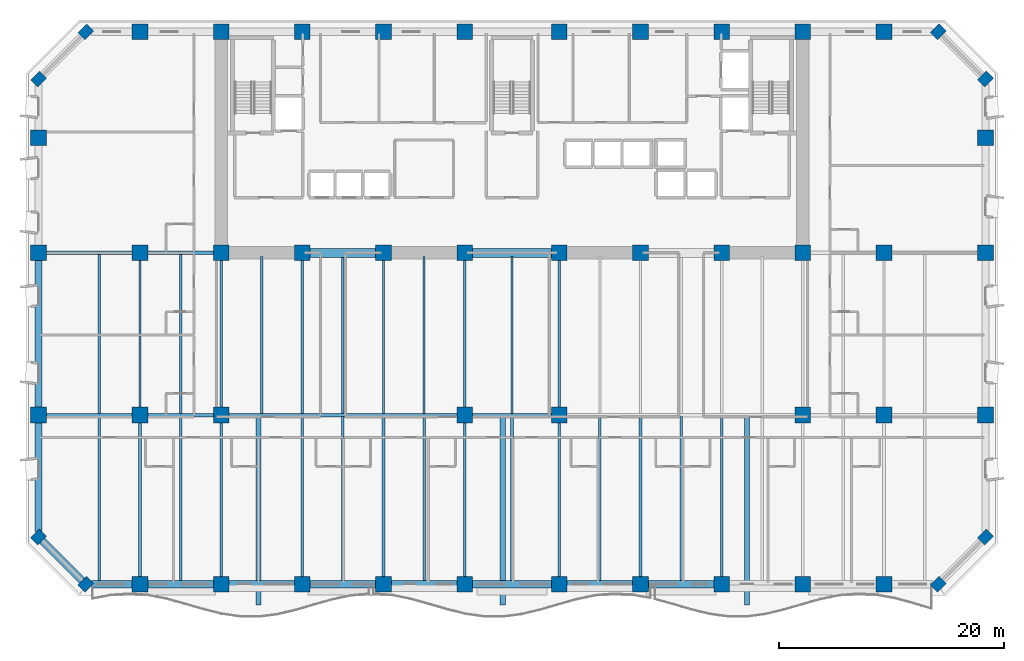
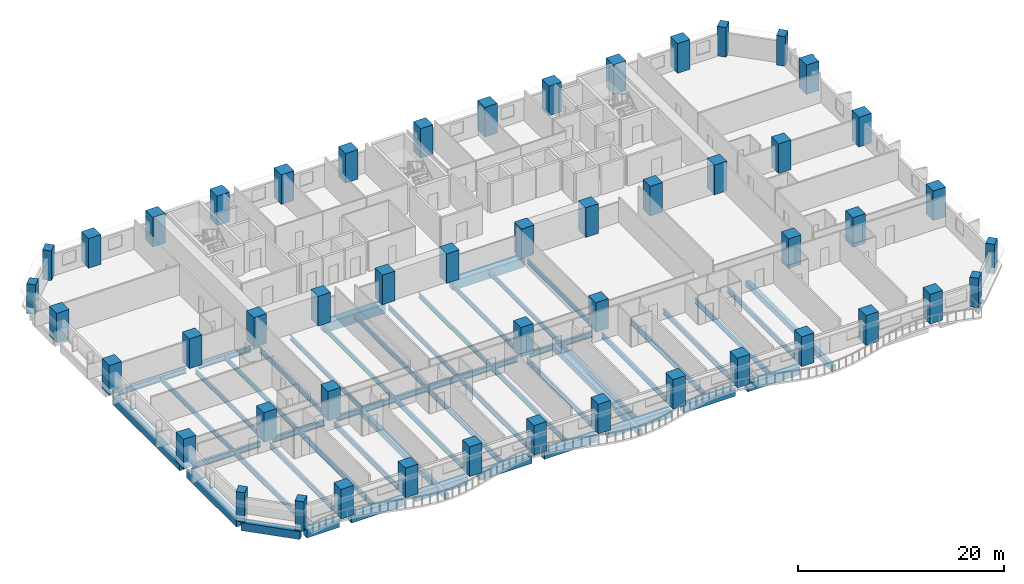
# One storey, part 1 of 15: 50 columns, 49 beams.
"""IFC4 building model written with IfcOpenShell, lengths in metres."""

from ifc_helpers import new_model, si_unit, direction, frame, origin, origin_2d, place, context, subcontext, project, spatial, rectangle, i_section, extrude, material, material_profile, profile_set, type_object, element, save


model = new_model("IFC4")

# Units and contexts
model_context = context("Model", 3, precision=1e-05, world=origin(), true_north=direction((0.0, 1.0)))
body_context = subcontext(model_context, "Body", "Model", "MODEL_VIEW")
ifc_project = project(units=[si_unit("LENGTHUNIT", "METRE"), si_unit("AREAUNIT", "SQUARE_METRE"), si_unit("VOLUMEUNIT", "CUBIC_METRE"), si_unit("PLANEANGLEUNIT", "RADIAN"), si_unit("MASSUNIT", "GRAM", prefix="KILO")], contexts=[model_context])

# Site, building, storey
site_placement = place(None, origin())
site = spatial("IfcSite", under=ifc_project, at=site_placement, CompositionType="ELEMENT")
building_placement = place(site_placement, origin())
building = spatial("IfcBuilding", under=site, at=building_placement, Name="Kaelvorn Grand Hotel", CompositionType="ELEMENT")
storey_placement = place(building_placement, frame((0.0, 0.0, 65.14990234375)))
storey = spatial("IfcBuildingStorey", under=building, at=storey_placement, Name="L14", CompositionType="ELEMENT", Elevation=65.14990234375)

# Columns
ifc_material_1 = material(Name="Concrete C80/95", Category="concrete")
ifc_material_profile_1 = material_profile(ifc_material_1, rectangle(XDim=1.10009765625, YDim=0.89990234375, at=origin_2d()), Name="RC PILASTER 1100x900")
ifc_profile_set_1 = profile_set([ifc_material_profile_1], Name="Concrete C80/95")
column_type_1 = type_object("IfcColumnType", Name="COL-PIL-1100x900-C80", PredefinedType="PILASTER", material=ifc_profile_set_1)
for number, where, z_axis, x_axis, name in (
    (1, (4.199951171875, 0.0, 0.0), (0.0, 0.0, 1.0), (0.707106781187, 0.707106781187, 0.0), "L14 Structural Column CH-01"),
    (2, (79.800048828125, 0.0, 0.0), (0.0, 0.0, 1.0), (0.707106781187, 0.707106781187, 0.0), "L14 Structural Column CH-02"),
    (3, (84.0, 4.199951171875, 0.0), (0.0, 0.0, 1.0), (0.707106781187, 0.707106781187, 0.0), "L14 Structural Column CH-03"),
    (4, (84.0, 44.800048828125, 0.0), (0.0, 0.0, 1.0), (0.707106781187, 0.707106781187, 0.0), "L14 Structural Column CH-04"),
    (5, (79.800048828125, 49.0, 0.0), (0.0, 0.0, 1.0), (0.707106781187, 0.707106781187, 0.0), "L14 Structural Column CH-05"),
    (6, (4.199951171875, 49.0, 0.0), (0.0, 0.0, 1.0), (0.707106781187, 0.707106781187, 0.0), "L14 Structural Column CH-06"),
    (7, (0.0, 44.800048828125, 0.0), (0.0, 0.0, 1.0), (0.707106781187, 0.707106781187, 0.0), "L14 Structural Column CH-07"),
    (8, (0.0, 4.199951171875, 0.0), (0.0, 0.0, 1.0), (0.707106781187, 0.707106781187, 0.0), "L14 Structural Column CH-08"),
):
    element("IfcColumn", number, at=place(storey_placement, frame(where, z_axis=z_axis, x_axis=x_axis)), inside=storey, type_object=column_type_1, Name=name, PredefinedType="PILASTER", context=body_context, shape_type="SweptSolid", body=[
        extrude(rectangle(XDim=1.10009765625, YDim=0.89990234375, at=origin_2d()), origin(), (0.0, 0.0, 1.0), 3.510009765625),
    ])
ifc_material_profile_2 = material_profile(ifc_material_1, rectangle(XDim=1.39990234375, YDim=1.39990234375, at=origin_2d()), Name="RC COL 1400x1400")
ifc_profile_set_2 = profile_set([ifc_material_profile_2], Name="Concrete C80/95")
column_type_2 = type_object("IfcColumnType", Name="COL-RC-1400-C80", PredefinedType="COLUMN", material=ifc_profile_set_2)
for number, where, z_axis, x_axis, name in (
    (9, (9.0, 0.0, 0.0), (0.0, 0.0, 1.0), (1.0, 0.0, 0.0), "L14 Structural Column S-01"),
    (10, (16.199951171875, 0.0, 0.0), (0.0, 0.0, 1.0), (1.0, 0.0, 0.0), "L14 Structural Column S-02"),
    (11, (23.39990234375, 0.0, 0.0), (0.0, 0.0, 1.0), (1.0, 0.0, 0.0), "L14 Structural Column S-03"),
    (12, (30.60009765625, 0.0, 0.0), (0.0, 0.0, 1.0), (1.0, 0.0, 0.0), "L14 Structural Column S-04"),
    (13, (37.800048828125, 0.0, 0.0), (0.0, 0.0, 1.0), (1.0, 0.0, 0.0), "L14 Structural Column S-05"),
    (14, (46.199951171875, 0.0, 0.0), (0.0, 0.0, 1.0), (1.0, 0.0, 0.0), "L14 Structural Column S-06"),
    (15, (53.39990234375, 0.0, 0.0), (0.0, 0.0, 1.0), (1.0, 0.0, 0.0), "L14 Structural Column S-07"),
    (16, (60.60009765625, 0.0, 0.0), (0.0, 0.0, 1.0), (1.0, 0.0, 0.0), "L14 Structural Column S-08"),
    (17, (67.800048828125, 0.0, 0.0), (0.0, 0.0, 1.0), (1.0, 0.0, 0.0), "L14 Structural Column S-09"),
    (18, (75.0, 0.0, 0.0), (0.0, 0.0, 1.0), (1.0, 0.0, 0.0), "L14 Structural Column S-10"),
    (19, (0.0, 15.0, 0.0), (0.0, 0.0, 1.0), (1.0, 0.0, 0.0), "L14 Structural Column W-01"),
    (20, (84.0, 15.0, 0.0), (0.0, 0.0, 1.0), (1.0, 0.0, 0.0), "L14 Structural Column E-01"),
    (21, (0.0, 29.39990234375, 0.0), (0.0, 0.0, 1.0), (1.0, 0.0, 0.0), "L14 Structural Column W-02"),
    (22, (84.0, 29.39990234375, 0.0), (0.0, 0.0, 1.0), (1.0, 0.0, 0.0), "L14 Structural Column E-02"),
    (23, (0.0, 39.60009765625, 0.0), (0.0, 0.0, 1.0), (1.0, 0.0, 0.0), "L14 Structural Column W-03"),
    (24, (84.0, 39.60009765625, 0.0), (0.0, 0.0, 1.0), (1.0, 0.0, 0.0), "L14 Structural Column E-03"),
    (25, (9.0, 15.0, 0.0), (0.0, 0.0, 1.0), (1.0, 0.0, 0.0), "L14 Structural Column M-01"),
    (26, (16.199951171875, 15.0, 0.0), (0.0, 0.0, 1.0), (1.0, 0.0, 0.0), "L14 Structural Column M-02"),
    (27, (37.800048828125, 15.0, 0.0), (0.0, 0.0, 1.0), (1.0, 0.0, 0.0), "L14 Structural Column M-03"),
    (28, (46.199951171875, 15.0, 0.0), (0.0, 0.0, 1.0), (1.0, 0.0, 0.0), "L14 Structural Column M-04"),
    (29, (67.800048828125, 15.0, 0.0), (0.0, 0.0, 1.0), (1.0, 0.0, 0.0), "L14 Structural Column M-05"),
    (30, (75.0, 15.0, 0.0), (0.0, 0.0, 1.0), (1.0, 0.0, 0.0), "L14 Structural Column M-06"),
    (31, (9.0, 29.39990234375, 0.0), (0.0, 0.0, 1.0), (1.0, 0.0, 0.0), "L14 Structural Column CR1-01"),
    (32, (9.0, 49.0, 0.0), (0.0, 0.0, 1.0), (1.0, 0.0, 0.0), "L14 Structural Column CR2-01"),
    (33, (16.199951171875, 29.39990234375, 0.0), (0.0, 0.0, 1.0), (1.0, 0.0, 0.0), "L14 Structural Column CR1-02"),
    (34, (16.199951171875, 49.0, 0.0), (0.0, 0.0, 1.0), (1.0, 0.0, 0.0), "L14 Structural Column CR2-02"),
    (35, (23.39990234375, 29.39990234375, 0.0), (0.0, 0.0, 1.0), (1.0, 0.0, 0.0), "L14 Structural Column CR1-03"),
    (36, (23.39990234375, 49.0, 0.0), (0.0, 0.0, 1.0), (1.0, 0.0, 0.0), "L14 Structural Column CR2-03"),
    (37, (30.60009765625, 29.39990234375, 0.0), (0.0, 0.0, 1.0), (1.0, 0.0, 0.0), "L14 Structural Column CR1-04"),
    (38, (30.60009765625, 49.0, 0.0), (0.0, 0.0, 1.0), (1.0, 0.0, 0.0), "L14 Structural Column CR2-04"),
    (39, (37.800048828125, 29.39990234375, 0.0), (0.0, 0.0, 1.0), (1.0, 0.0, 0.0), "L14 Structural Column CR1-05"),
    (40, (37.800048828125, 49.0, 0.0), (0.0, 0.0, 1.0), (1.0, 0.0, 0.0), "L14 Structural Column CR2-05"),
    (41, (46.199951171875, 29.39990234375, 0.0), (0.0, 0.0, 1.0), (1.0, 0.0, 0.0), "L14 Structural Column CR1-06"),
    (42, (46.199951171875, 49.0, 0.0), (0.0, 0.0, 1.0), (1.0, 0.0, 0.0), "L14 Structural Column CR2-06"),
    (43, (53.39990234375, 29.39990234375, 0.0), (0.0, 0.0, 1.0), (1.0, 0.0, 0.0), "L14 Structural Column CR1-07"),
    (44, (53.39990234375, 49.0, 0.0), (0.0, 0.0, 1.0), (1.0, 0.0, 0.0), "L14 Structural Column CR2-07"),
    (45, (60.60009765625, 29.39990234375, 0.0), (0.0, 0.0, 1.0), (1.0, 0.0, 0.0), "L14 Structural Column CR1-08"),
    (46, (60.60009765625, 49.0, 0.0), (0.0, 0.0, 1.0), (1.0, 0.0, 0.0), "L14 Structural Column CR2-08"),
    (47, (67.800048828125, 29.39990234375, 0.0), (0.0, 0.0, 1.0), (1.0, 0.0, 0.0), "L14 Structural Column CR1-09"),
    (48, (67.800048828125, 49.0, 0.0), (0.0, 0.0, 1.0), (1.0, 0.0, 0.0), "L14 Structural Column CR2-09"),
    (49, (75.0, 29.39990234375, 0.0), (0.0, 0.0, 1.0), (1.0, 0.0, 0.0), "L14 Structural Column CR1-10"),
    (50, (75.0, 49.0, 0.0), (0.0, 0.0, 1.0), (1.0, 0.0, 0.0), "L14 Structural Column CR2-10"),
):
    element("IfcColumn", number, at=place(storey_placement, frame(where, z_axis=z_axis, x_axis=x_axis)), inside=storey, type_object=column_type_2, Name=name, PredefinedType="COLUMN", context=body_context, shape_type="SweptSolid", body=[
        extrude(rectangle(XDim=1.39990234375, YDim=1.39990234375, at=origin_2d()), origin(), (0.0, 0.0, 1.0), 3.510009765625),
    ])

# Beams
ifc_material_2 = material(Name="Steel S355", Category="steel")
ifc_material_profile_3 = material_profile(ifc_material_2, i_section(OverallWidth=0.300048828125, OverallDepth=0.64990234375, WebThickness=0.01611328125, FlangeThickness=0.031005859375, FilletRadius=0.027099609375, at=origin_2d()), Name="HEB 650")
ifc_profile_set_3 = profile_set([ifc_material_profile_3], Name="Steel S355")
beam_type_1 = type_object("IfcBeamType", Name="BM-G-HEB650-S355", PredefinedType="BEAM", material=ifc_profile_set_3)
beam_1_placement = place(storey_placement, frame((0.68505859375, 15.0, -0.56494140625), z_axis=(1.0, 0.0, 0.0), x_axis=(0.0, 1.0, 0.0)))
element("IfcBeam", 51, at=beam_1_placement, inside=storey, type_object=beam_type_1, Name="L14 Primary Spine Steel Girder G-15 01", PredefinedType="BEAM", context=body_context, shape_type="SweptSolid", body=[
    extrude(i_section(OverallWidth=0.300048828125, OverallDepth=0.64990234375, WebThickness=0.01611328125, FlangeThickness=0.031005859375, FilletRadius=0.027099609375, at=origin_2d()), origin(), (0.0, 0.0, 1.0), 7.6298828125),
])
beam_2_placement = place(storey_placement, frame((9.68505859375, 15.0, -0.56494140625), z_axis=(1.0, 0.0, 0.0), x_axis=(0.0, 1.0, 0.0)))
element("IfcBeam", 52, at=beam_2_placement, inside=storey, type_object=beam_type_1, Name="L14 Primary Spine Steel Girder G-15 02", PredefinedType="BEAM", context=body_context, shape_type="SweptSolid", body=[
    extrude(i_section(OverallWidth=0.300048828125, OverallDepth=0.64990234375, WebThickness=0.01611328125, FlangeThickness=0.031005859375, FilletRadius=0.027099609375, at=origin_2d()), origin(), (0.0, 0.0, 1.0), 5.829833984375),
])
beam_3_placement = place(storey_placement, frame((16.885009765625, 15.0, -0.56494140625), z_axis=(1.0, 0.0, 0.0), x_axis=(0.0, 1.0, 0.0)))
element("IfcBeam", 53, at=beam_3_placement, inside=storey, type_object=beam_type_1, Name="L14 Primary Spine Steel Girder G-15 03", PredefinedType="BEAM", context=body_context, shape_type="SweptSolid", body=[
    extrude(i_section(OverallWidth=0.300048828125, OverallDepth=0.64990234375, WebThickness=0.01611328125, FlangeThickness=0.031005859375, FilletRadius=0.027099609375, at=origin_2d()), origin(), (0.0, 0.0, 1.0), 20.22998046875),
])
beam_4_placement = place(storey_placement, frame((38.485107421875, 15.0, -0.56494140625), z_axis=(1.0, 0.0, 0.0), x_axis=(0.0, 1.0, 0.0)))
element("IfcBeam", 54, at=beam_4_placement, inside=storey, type_object=beam_type_1, Name="L14 Primary Spine Steel Girder G-15 04", PredefinedType="BEAM", context=body_context, shape_type="SweptSolid", body=[
    extrude(i_section(OverallWidth=0.300048828125, OverallDepth=0.64990234375, WebThickness=0.01611328125, FlangeThickness=0.031005859375, FilletRadius=0.027099609375, at=origin_2d()), origin(), (0.0, 0.0, 1.0), 7.02978515625),
])
beam_5_placement = place(storey_placement, frame((0.68505859375, 29.39990234375, -0.56494140625), z_axis=(1.0, 0.0, 0.0), x_axis=(0.0, 1.0, 0.0)))
element("IfcBeam", 55, at=beam_5_placement, inside=storey, type_object=beam_type_1, Name="L14 West Core Wing Steel Girder G-29W 01", PredefinedType="BEAM", context=body_context, shape_type="SweptSolid", body=[
    extrude(i_section(OverallWidth=0.300048828125, OverallDepth=0.64990234375, WebThickness=0.01611328125, FlangeThickness=0.031005859375, FilletRadius=0.027099609375, at=origin_2d()), origin(), (0.0, 0.0, 1.0), 7.6298828125),
])
beam_6_placement = place(storey_placement, frame((9.68505859375, 29.39990234375, -0.56494140625), z_axis=(1.0, 0.0, 0.0), x_axis=(0.0, 1.0, 0.0)))
element("IfcBeam", 56, at=beam_6_placement, inside=storey, type_object=beam_type_1, Name="L14 West Core Wing Steel Girder G-29W 02", PredefinedType="BEAM", context=body_context, shape_type="SweptSolid", body=[
    extrude(i_section(OverallWidth=0.300048828125, OverallDepth=0.64990234375, WebThickness=0.01611328125, FlangeThickness=0.031005859375, FilletRadius=0.027099609375, at=origin_2d()), origin(), (0.0, 0.0, 1.0), 5.829833984375),
])
ifc_material_profile_4 = material_profile(ifc_material_2, i_section(OverallWidth=0.209228515625, OverallDepth=0.533203125, WebThickness=0.010009765625, FlangeThickness=0.015625, FilletRadius=0.0126953125, at=origin_2d()), Name="UB 533x210x92")
ifc_profile_set_4 = profile_set([ifc_material_profile_4], Name="Steel S355")
beam_type_2 = type_object("IfcBeamType", Name="BM-J-UB533-S355", PredefinedType="JOIST", material=ifc_profile_set_4)
beam_7_placement = place(storey_placement, frame((5.39990234375, 15.135009765625, -0.50634765625), z_axis=(0.0, 1.0, 0.0), x_axis=(-1.0, 0.0, 0.0)))
element("IfcBeam", 57, at=beam_7_placement, inside=storey, type_object=beam_type_2, Name="L14 Composite Floor Joist JM-02", PredefinedType="JOIST", context=body_context, shape_type="SweptSolid", body=[
    extrude(i_section(OverallWidth=0.209228515625, OverallDepth=0.533203125, WebThickness=0.010009765625, FlangeThickness=0.015625, FilletRadius=0.0126953125, at=origin_2d()), origin(), (0.0, 0.0, 1.0), 14.1298828125),
])
beam_8_placement = place(storey_placement, frame((9.0, 15.68505859375, -0.50634765625), z_axis=(0.0, 1.0, 0.0), x_axis=(-1.0, 0.0, 0.0)))
element("IfcBeam", 58, at=beam_8_placement, inside=storey, type_object=beam_type_2, Name="L14 Composite Floor Joist JM-03", PredefinedType="JOIST", context=body_context, shape_type="SweptSolid", body=[
    extrude(i_section(OverallWidth=0.209228515625, OverallDepth=0.533203125, WebThickness=0.010009765625, FlangeThickness=0.015625, FilletRadius=0.0126953125, at=origin_2d()), origin(), (0.0, 0.0, 1.0), 13.030029296875),
])
beam_9_placement = place(storey_placement, frame((12.60009765625, 15.135009765625, -0.50634765625), z_axis=(0.0, 1.0, 0.0), x_axis=(-1.0, 0.0, 0.0)))
element("IfcBeam", 59, at=beam_9_placement, inside=storey, type_object=beam_type_2, Name="L14 Composite Floor Joist JM-04", PredefinedType="JOIST", context=body_context, shape_type="SweptSolid", body=[
    extrude(i_section(OverallWidth=0.209228515625, OverallDepth=0.533203125, WebThickness=0.010009765625, FlangeThickness=0.015625, FilletRadius=0.0126953125, at=origin_2d()), origin(), (0.0, 0.0, 1.0), 14.1298828125),
])
beam_10_placement = place(storey_placement, frame((16.199951171875, 15.68505859375, -0.50634765625), z_axis=(0.0, 1.0, 0.0), x_axis=(-1.0, 0.0, 0.0)))
element("IfcBeam", 60, at=beam_10_placement, inside=storey, type_object=beam_type_2, Name="L14 Composite Floor Joist JM-05", PredefinedType="JOIST", context=body_context, shape_type="SweptSolid", body=[
    extrude(i_section(OverallWidth=0.209228515625, OverallDepth=0.533203125, WebThickness=0.010009765625, FlangeThickness=0.015625, FilletRadius=0.0126953125, at=origin_2d()), origin(), (0.0, 0.0, 1.0), 13.030029296875),
])
beam_11_placement = place(storey_placement, frame((19.800048828125, 15.135009765625, -0.50634765625), z_axis=(0.0, 1.0, 0.0), x_axis=(-1.0, 0.0, 0.0)))
element("IfcBeam", 61, at=beam_11_placement, inside=storey, type_object=beam_type_2, Name="L14 Composite Floor Joist JM-06", PredefinedType="JOIST", context=body_context, shape_type="SweptSolid", body=[
    extrude(i_section(OverallWidth=0.209228515625, OverallDepth=0.533203125, WebThickness=0.010009765625, FlangeThickness=0.015625, FilletRadius=0.0126953125, at=origin_2d()), origin(), (0.0, 0.0, 1.0), 13.925048828125),
])
beam_12_placement = place(storey_placement, frame((23.39990234375, 15.135009765625, -0.50634765625), z_axis=(0.0, 1.0, 0.0), x_axis=(-1.0, 0.0, 0.0)))
element("IfcBeam", 62, at=beam_12_placement, inside=storey, type_object=beam_type_2, Name="L14 Composite Floor Joist JM-07", PredefinedType="JOIST", context=body_context, shape_type="SweptSolid", body=[
    extrude(i_section(OverallWidth=0.209228515625, OverallDepth=0.533203125, WebThickness=0.010009765625, FlangeThickness=0.015625, FilletRadius=0.0126953125, at=origin_2d()), origin(), (0.0, 0.0, 1.0), 13.580078125),
])
beam_13_placement = place(storey_placement, frame((27.0, 15.135009765625, -0.50634765625), z_axis=(0.0, 1.0, 0.0), x_axis=(-1.0, 0.0, 0.0)))
element("IfcBeam", 63, at=beam_13_placement, inside=storey, type_object=beam_type_2, Name="L14 Composite Floor Joist JM-08", PredefinedType="JOIST", context=body_context, shape_type="SweptSolid", body=[
    extrude(i_section(OverallWidth=0.209228515625, OverallDepth=0.533203125, WebThickness=0.010009765625, FlangeThickness=0.015625, FilletRadius=0.0126953125, at=origin_2d()), origin(), (0.0, 0.0, 1.0), 13.925048828125),
])
beam_14_placement = place(storey_placement, frame((30.60009765625, 15.135009765625, -0.50634765625), z_axis=(0.0, 1.0, 0.0), x_axis=(-1.0, 0.0, 0.0)))
element("IfcBeam", 64, at=beam_14_placement, inside=storey, type_object=beam_type_2, Name="L14 Composite Floor Joist JM-09", PredefinedType="JOIST", context=body_context, shape_type="SweptSolid", body=[
    extrude(i_section(OverallWidth=0.209228515625, OverallDepth=0.533203125, WebThickness=0.010009765625, FlangeThickness=0.015625, FilletRadius=0.0126953125, at=origin_2d()), origin(), (0.0, 0.0, 1.0), 13.580078125),
])
beam_15_placement = place(storey_placement, frame((34.199951171875, 15.135009765625, -0.50634765625), z_axis=(0.0, 1.0, 0.0), x_axis=(-1.0, 0.0, 0.0)))
element("IfcBeam", 65, at=beam_15_placement, inside=storey, type_object=beam_type_2, Name="L14 Composite Floor Joist JM-10", PredefinedType="JOIST", context=body_context, shape_type="SweptSolid", body=[
    extrude(i_section(OverallWidth=0.209228515625, OverallDepth=0.533203125, WebThickness=0.010009765625, FlangeThickness=0.015625, FilletRadius=0.0126953125, at=origin_2d()), origin(), (0.0, 0.0, 1.0), 13.925048828125),
])
beam_16_placement = place(storey_placement, frame((37.800048828125, 15.68505859375, -0.50634765625), z_axis=(0.0, 1.0, 0.0), x_axis=(-1.0, 0.0, 0.0)))
element("IfcBeam", 66, at=beam_16_placement, inside=storey, type_object=beam_type_2, Name="L14 Composite Floor Joist JM-11", PredefinedType="JOIST", context=body_context, shape_type="SweptSolid", body=[
    extrude(i_section(OverallWidth=0.209228515625, OverallDepth=0.533203125, WebThickness=0.010009765625, FlangeThickness=0.015625, FilletRadius=0.0126953125, at=origin_2d()), origin(), (0.0, 0.0, 1.0), 13.030029296875),
])
beam_17_placement = place(storey_placement, frame((42.0, 15.135009765625, -0.50634765625), z_axis=(0.0, 1.0, 0.0), x_axis=(-1.0, 0.0, 0.0)))
element("IfcBeam", 67, at=beam_17_placement, inside=storey, type_object=beam_type_2, Name="L14 Composite Floor Joist JM-12", PredefinedType="JOIST", context=body_context, shape_type="SweptSolid", body=[
    extrude(i_section(OverallWidth=0.209228515625, OverallDepth=0.533203125, WebThickness=0.010009765625, FlangeThickness=0.015625, FilletRadius=0.0126953125, at=origin_2d()), origin(), (0.0, 0.0, 1.0), 13.925048828125),
])
beam_18_placement = place(storey_placement, frame((46.199951171875, 15.68505859375, -0.50634765625), z_axis=(0.0, 1.0, 0.0), x_axis=(-1.0, 0.0, 0.0)))
element("IfcBeam", 68, at=beam_18_placement, inside=storey, type_object=beam_type_2, Name="L14 Composite Floor Joist JM-13", PredefinedType="JOIST", context=body_context, shape_type="SweptSolid", body=[
    extrude(i_section(OverallWidth=0.209228515625, OverallDepth=0.533203125, WebThickness=0.010009765625, FlangeThickness=0.015625, FilletRadius=0.0126953125, at=origin_2d()), origin(), (0.0, 0.0, 1.0), 13.030029296875),
])
ifc_material_profile_5 = material_profile(ifc_material_2, i_section(OverallWidth=0.22900390625, OverallDepth=0.6123046875, WebThickness=0.011962890625, FlangeThickness=0.01953125, FilletRadius=0.0126953125, at=origin_2d()), Name="UB 610x229x125")
ifc_profile_set_5 = profile_set([ifc_material_profile_5], Name="Steel S355")
beam_type_3 = type_object("IfcBeamType", Name="BM-J-UB610-S355", PredefinedType="JOIST", material=ifc_profile_set_5)
beam_19_placement = place(storey_placement, frame((5.39990234375, 0.31005859375, -0.5458984375), z_axis=(0.0, 1.0, 0.0), x_axis=(-1.0, 0.0, 0.0)))
element("IfcBeam", 69, at=beam_19_placement, inside=storey, type_object=beam_type_3, Name="L14 Composite Floor Joist JS-02", PredefinedType="JOIST", context=body_context, shape_type="SweptSolid", body=[
    extrude(i_section(OverallWidth=0.22900390625, OverallDepth=0.6123046875, WebThickness=0.011962890625, FlangeThickness=0.01953125, FilletRadius=0.0126953125, at=origin_2d()), origin(), (0.0, 0.0, 1.0), 14.554931640625),
])
beam_20_placement = place(storey_placement, frame((9.0, 0.68505859375, -0.5458984375), z_axis=(0.0, 1.0, 0.0), x_axis=(-1.0, 0.0, 0.0)))
element("IfcBeam", 70, at=beam_20_placement, inside=storey, type_object=beam_type_3, Name="L14 Composite Floor Joist JS-03", PredefinedType="JOIST", context=body_context, shape_type="SweptSolid", body=[
    extrude(i_section(OverallWidth=0.22900390625, OverallDepth=0.6123046875, WebThickness=0.011962890625, FlangeThickness=0.01953125, FilletRadius=0.0126953125, at=origin_2d()), origin(), (0.0, 0.0, 1.0), 13.6298828125),
])
beam_21_placement = place(storey_placement, frame((12.60009765625, 0.31005859375, -0.5458984375), z_axis=(0.0, 1.0, 0.0), x_axis=(-1.0, 0.0, 0.0)))
element("IfcBeam", 71, at=beam_21_placement, inside=storey, type_object=beam_type_3, Name="L14 Composite Floor Joist JS-04", PredefinedType="JOIST", context=body_context, shape_type="SweptSolid", body=[
    extrude(i_section(OverallWidth=0.22900390625, OverallDepth=0.6123046875, WebThickness=0.011962890625, FlangeThickness=0.01953125, FilletRadius=0.0126953125, at=origin_2d()), origin(), (0.0, 0.0, 1.0), 14.554931640625),
])
beam_22_placement = place(storey_placement, frame((16.199951171875, 0.68505859375, -0.5458984375), z_axis=(0.0, 1.0, 0.0), x_axis=(-1.0, 0.0, 0.0)))
element("IfcBeam", 72, at=beam_22_placement, inside=storey, type_object=beam_type_3, Name="L14 Composite Floor Joist JS-05", PredefinedType="JOIST", context=body_context, shape_type="SweptSolid", body=[
    extrude(i_section(OverallWidth=0.22900390625, OverallDepth=0.6123046875, WebThickness=0.011962890625, FlangeThickness=0.01953125, FilletRadius=0.0126953125, at=origin_2d()), origin(), (0.0, 0.0, 1.0), 13.6298828125),
])
beam_23_placement = place(storey_placement, frame((23.39990234375, 0.68505859375, -0.5458984375), z_axis=(0.0, 1.0, 0.0), x_axis=(-1.0, 0.0, 0.0)))
element("IfcBeam", 73, at=beam_23_placement, inside=storey, type_object=beam_type_3, Name="L14 Composite Floor Joist JS-07", PredefinedType="JOIST", context=body_context, shape_type="SweptSolid", body=[
    extrude(i_section(OverallWidth=0.22900390625, OverallDepth=0.6123046875, WebThickness=0.011962890625, FlangeThickness=0.01953125, FilletRadius=0.0126953125, at=origin_2d()), origin(), (0.0, 0.0, 1.0), 14.179931640625),
])
beam_24_placement = place(storey_placement, frame((27.0, 0.31005859375, -0.5458984375), z_axis=(0.0, 1.0, 0.0), x_axis=(-1.0, 0.0, 0.0)))
element("IfcBeam", 74, at=beam_24_placement, inside=storey, type_object=beam_type_3, Name="L14 Composite Floor Joist JS-08", PredefinedType="JOIST", context=body_context, shape_type="SweptSolid", body=[
    extrude(i_section(OverallWidth=0.22900390625, OverallDepth=0.6123046875, WebThickness=0.011962890625, FlangeThickness=0.01953125, FilletRadius=0.0126953125, at=origin_2d()), origin(), (0.0, 0.0, 1.0), 14.554931640625),
])
beam_25_placement = place(storey_placement, frame((30.60009765625, 0.68505859375, -0.5458984375), z_axis=(0.0, 1.0, 0.0), x_axis=(-1.0, 0.0, 0.0)))
element("IfcBeam", 75, at=beam_25_placement, inside=storey, type_object=beam_type_3, Name="L14 Composite Floor Joist JS-09", PredefinedType="JOIST", context=body_context, shape_type="SweptSolid", body=[
    extrude(i_section(OverallWidth=0.22900390625, OverallDepth=0.6123046875, WebThickness=0.011962890625, FlangeThickness=0.01953125, FilletRadius=0.0126953125, at=origin_2d()), origin(), (0.0, 0.0, 1.0), 14.179931640625),
])
beam_26_placement = place(storey_placement, frame((34.199951171875, 0.31005859375, -0.5458984375), z_axis=(0.0, 1.0, 0.0), x_axis=(-1.0, 0.0, 0.0)))
element("IfcBeam", 76, at=beam_26_placement, inside=storey, type_object=beam_type_3, Name="L14 Composite Floor Joist JS-10", PredefinedType="JOIST", context=body_context, shape_type="SweptSolid", body=[
    extrude(i_section(OverallWidth=0.22900390625, OverallDepth=0.6123046875, WebThickness=0.011962890625, FlangeThickness=0.01953125, FilletRadius=0.0126953125, at=origin_2d()), origin(), (0.0, 0.0, 1.0), 14.554931640625),
])
beam_27_placement = place(storey_placement, frame((37.800048828125, 0.68505859375, -0.5458984375), z_axis=(0.0, 1.0, 0.0), x_axis=(-1.0, 0.0, 0.0)))
element("IfcBeam", 77, at=beam_27_placement, inside=storey, type_object=beam_type_3, Name="L14 Composite Floor Joist JS-11", PredefinedType="JOIST", context=body_context, shape_type="SweptSolid", body=[
    extrude(i_section(OverallWidth=0.22900390625, OverallDepth=0.6123046875, WebThickness=0.011962890625, FlangeThickness=0.01953125, FilletRadius=0.0126953125, at=origin_2d()), origin(), (0.0, 0.0, 1.0), 13.6298828125),
])
beam_28_placement = place(storey_placement, frame((42.0, 0.31005859375, -0.5458984375), z_axis=(0.0, 1.0, 0.0), x_axis=(-1.0, 0.0, 0.0)))
element("IfcBeam", 78, at=beam_28_placement, inside=storey, type_object=beam_type_3, Name="L14 Composite Floor Joist JS-12", PredefinedType="JOIST", context=body_context, shape_type="SweptSolid", body=[
    extrude(i_section(OverallWidth=0.22900390625, OverallDepth=0.6123046875, WebThickness=0.011962890625, FlangeThickness=0.01953125, FilletRadius=0.0126953125, at=origin_2d()), origin(), (0.0, 0.0, 1.0), 14.554931640625),
])
beam_29_placement = place(storey_placement, frame((46.199951171875, 0.68505859375, -0.5458984375), z_axis=(0.0, 1.0, 0.0), x_axis=(-1.0, 0.0, 0.0)))
element("IfcBeam", 79, at=beam_29_placement, inside=storey, type_object=beam_type_3, Name="L14 Composite Floor Joist JS-13", PredefinedType="JOIST", context=body_context, shape_type="SweptSolid", body=[
    extrude(i_section(OverallWidth=0.22900390625, OverallDepth=0.6123046875, WebThickness=0.011962890625, FlangeThickness=0.01953125, FilletRadius=0.0126953125, at=origin_2d()), origin(), (0.0, 0.0, 1.0), 13.6298828125),
])
beam_30_placement = place(storey_placement, frame((49.800048828125, 0.31005859375, -0.5458984375), z_axis=(0.0, 1.0, 0.0), x_axis=(-1.0, 0.0, 0.0)))
element("IfcBeam", 80, at=beam_30_placement, inside=storey, type_object=beam_type_3, Name="L14 Composite Floor Joist JS-14", PredefinedType="JOIST", context=body_context, shape_type="SweptSolid", body=[
    extrude(i_section(OverallWidth=0.22900390625, OverallDepth=0.6123046875, WebThickness=0.011962890625, FlangeThickness=0.01953125, FilletRadius=0.0126953125, at=origin_2d()), origin(), (0.0, 0.0, 1.0), 14.554931640625),
])
beam_31_placement = place(storey_placement, frame((53.39990234375, 0.68505859375, -0.5458984375), z_axis=(0.0, 1.0, 0.0), x_axis=(-1.0, 0.0, 0.0)))
element("IfcBeam", 81, at=beam_31_placement, inside=storey, type_object=beam_type_3, Name="L14 Composite Floor Joist JS-15", PredefinedType="JOIST", context=body_context, shape_type="SweptSolid", body=[
    extrude(i_section(OverallWidth=0.22900390625, OverallDepth=0.6123046875, WebThickness=0.011962890625, FlangeThickness=0.01953125, FilletRadius=0.0126953125, at=origin_2d()), origin(), (0.0, 0.0, 1.0), 14.179931640625),
])
beam_32_placement = place(storey_placement, frame((57.0, 0.31005859375, -0.5458984375), z_axis=(0.0, 1.0, 0.0), x_axis=(-1.0, 0.0, 0.0)))
element("IfcBeam", 82, at=beam_32_placement, inside=storey, type_object=beam_type_3, Name="L14 Composite Floor Joist JS-16", PredefinedType="JOIST", context=body_context, shape_type="SweptSolid", body=[
    extrude(i_section(OverallWidth=0.22900390625, OverallDepth=0.6123046875, WebThickness=0.011962890625, FlangeThickness=0.01953125, FilletRadius=0.0126953125, at=origin_2d()), origin(), (0.0, 0.0, 1.0), 14.554931640625),
])
beam_33_placement = place(storey_placement, frame((60.60009765625, 0.68505859375, -0.5458984375), z_axis=(0.0, 1.0, 0.0), x_axis=(-1.0, 0.0, 0.0)))
element("IfcBeam", 83, at=beam_33_placement, inside=storey, type_object=beam_type_3, Name="L14 Composite Floor Joist JS-17", PredefinedType="JOIST", context=body_context, shape_type="SweptSolid", body=[
    extrude(i_section(OverallWidth=0.22900390625, OverallDepth=0.6123046875, WebThickness=0.011962890625, FlangeThickness=0.01953125, FilletRadius=0.0126953125, at=origin_2d()), origin(), (0.0, 0.0, 1.0), 14.179931640625),
])
ifc_material_3 = material(Name="Concrete C60/75", Category="concrete")
ifc_material_profile_6 = material_profile(ifc_material_3, rectangle(XDim=0.800048828125, YDim=1.10009765625, at=origin_2d()), Name="RC LINTEL 800x1100")
ifc_profile_set_6 = profile_set([ifc_material_profile_6], Name="Concrete C60/75")
beam_type_4 = type_object("IfcBeamType", Name="BM-LIN-800x1100-C60", PredefinedType="LINTEL", material=ifc_profile_set_6)
beam_34_placement = place(storey_placement, frame((23.580078125, 29.39990234375, -0.789794921875), z_axis=(1.0, 0.0, 0.0), x_axis=(0.0, 1.0, 0.0)))
element("IfcBeam", 84, at=beam_34_placement, inside=storey, type_object=beam_type_4, Name="L14 Rear-Core Coupling Lintel Beam CB1-01", PredefinedType="LINTEL", context=body_context, shape_type="SweptSolid", body=[
    extrude(rectangle(XDim=0.800048828125, YDim=1.10009765625, at=origin_2d()), origin(), (0.0, 0.0, 1.0), 6.83984375),
])
beam_35_placement = place(storey_placement, frame((37.97998046875, 29.39990234375, -0.789794921875), z_axis=(1.0, 0.0, 0.0), x_axis=(0.0, 1.0, 0.0)))
element("IfcBeam", 85, at=beam_35_placement, inside=storey, type_object=beam_type_4, Name="L14 Rear-Core Coupling Lintel Beam CB1-02", PredefinedType="LINTEL", context=body_context, shape_type="SweptSolid", body=[
    extrude(rectangle(XDim=0.800048828125, YDim=1.10009765625, at=origin_2d()), origin(), (0.0, 0.0, 1.0), 8.0400390625),
])
ifc_material_4 = material(Name="Concrete C40/50", Category="concrete")
ifc_material_profile_7 = material_profile(ifc_material_4, rectangle(XDim=0.449951171875, YDim=0.64990234375, at=origin_2d()), Name="RC RIB 450x650")
ifc_profile_set_7 = profile_set([ifc_material_profile_7], Name="Concrete C40/50")
beam_type_5 = type_object("IfcBeamType", Name="BM-RIB-450x650-C40", PredefinedType="SPANDREL", material=ifc_profile_set_7)
for number, where, z_axis, x_axis, name in (
    (86, (19.52001953125, -1.85009765625, -0.544921875), (0.0, 1.0, 0.0), (-1.0, 0.0, 0.0), "L14 Cantilevered Balcony Back-Span Rib RB1-1"),
    (87, (41.18212890625, -1.85009765625, -0.544921875), (0.0, 1.0, 0.0), (-1.0, 0.0, 0.0), "L14 Cantilevered Balcony Back-Span Rib RB1-2"),
    (88, (62.844482421875, -1.85009765625, -0.544921875), (0.0, 1.0, 0.0), (-1.0, 0.0, 0.0), "L14 Cantilevered Balcony Back-Span Rib RB1-3"),
):
    element("IfcBeam", number, at=place(storey_placement, frame(where, z_axis=z_axis, x_axis=x_axis)), inside=storey, type_object=beam_type_5, Name=name, PredefinedType="SPANDREL", context=body_context, shape_type="SweptSolid", body=[
        extrude(rectangle(XDim=0.449951171875, YDim=0.64990234375, at=origin_2d()), origin(), (0.0, 0.0, 1.0), 16.715087890625),
    ])
ifc_material_profile_8 = material_profile(ifc_material_3, rectangle(XDim=0.64990234375, YDim=0.949951171875, at=origin_2d()), Name="RC SPANDREL 650x950")
ifc_profile_set_8 = profile_set([ifc_material_profile_8], Name="Concrete C60/75")
beam_type_6 = type_object("IfcBeamType", Name="BM-SP-650x950-C60", PredefinedType="SPANDREL", material=ifc_profile_set_8)
beam_36_placement = place(storey_placement, frame((4.68505859375, 0.0, -0.71484375), z_axis=(1.0, 0.0, 0.0), x_axis=(0.0, 1.0, 0.0)))
element("IfcBeam", 89, at=beam_36_placement, inside=storey, type_object=beam_type_6, Name="L14 South Perimeter Spandrel 01", PredefinedType="SPANDREL", context=body_context, shape_type="SweptSolid", body=[
    extrude(rectangle(XDim=0.64990234375, YDim=0.949951171875, at=origin_2d()), origin(), (0.0, 0.0, 1.0), 3.6298828125),
])
beam_37_placement = place(storey_placement, frame((9.68505859375, 0.0, -0.71484375), z_axis=(1.0, 0.0, 0.0), x_axis=(0.0, 1.0, 0.0)))
element("IfcBeam", 90, at=beam_37_placement, inside=storey, type_object=beam_type_6, Name="L14 South Perimeter Spandrel 02", PredefinedType="SPANDREL", context=body_context, shape_type="SweptSolid", body=[
    extrude(rectangle(XDim=0.64990234375, YDim=0.949951171875, at=origin_2d()), origin(), (0.0, 0.0, 1.0), 5.829833984375),
])
for number, where, z_axis, x_axis, name in (
    (91, (16.885009765625, 0.0, -0.71484375), (1.0, 0.0, 0.0), (0.0, 1.0, 0.0), "L14 South Perimeter Spandrel 03"),
    (92, (24.0849609375, 0.0, -0.71484375), (1.0, 0.0, 0.0), (0.0, 1.0, 0.0), "L14 South Perimeter Spandrel 04"),
    (93, (31.284912109375, 0.0, -0.71484375), (1.0, 0.0, 0.0), (0.0, 1.0, 0.0), "L14 South Perimeter Spandrel 05"),
):
    element("IfcBeam", number, at=place(storey_placement, frame(where, z_axis=z_axis, x_axis=x_axis)), inside=storey, type_object=beam_type_6, Name=name, PredefinedType="SPANDREL", context=body_context, shape_type="SweptSolid", body=[
        extrude(rectangle(XDim=0.64990234375, YDim=0.949951171875, at=origin_2d()), origin(), (0.0, 0.0, 1.0), 5.830078125),
    ])
beam_38_placement = place(storey_placement, frame((38.485107421875, 0.0, -0.71484375), z_axis=(1.0, 0.0, 0.0), x_axis=(0.0, 1.0, 0.0)))
element("IfcBeam", 94, at=beam_38_placement, inside=storey, type_object=beam_type_6, Name="L14 South Perimeter Spandrel 06", PredefinedType="SPANDREL", context=body_context, shape_type="SweptSolid", body=[
    extrude(rectangle(XDim=0.64990234375, YDim=0.949951171875, at=origin_2d()), origin(), (0.0, 0.0, 1.0), 7.02978515625),
])
for number, where, z_axis, x_axis, name in (
    (95, (46.885009765625, 0.0, -0.71484375), (1.0, 0.0, 0.0), (0.0, 1.0, 0.0), "L14 South Perimeter Spandrel 07"),
    (96, (54.0849609375, 0.0, -0.71484375), (1.0, 0.0, 0.0), (0.0, 1.0, 0.0), "L14 South Perimeter Spandrel 08"),
):
    element("IfcBeam", number, at=place(storey_placement, frame(where, z_axis=z_axis, x_axis=x_axis)), inside=storey, type_object=beam_type_6, Name=name, PredefinedType="SPANDREL", context=body_context, shape_type="SweptSolid", body=[
        extrude(rectangle(XDim=0.64990234375, YDim=0.949951171875, at=origin_2d()), origin(), (0.0, 0.0, 1.0), 5.830078125),
    ])
beam_39_placement = place(storey_placement, frame((0.0, 4.68505859375, -0.71484375), z_axis=(0.0, 1.0, 0.0), x_axis=(-1.0, 0.0, 0.0)))
element("IfcBeam", 97, at=beam_39_placement, inside=storey, type_object=beam_type_6, Name="L14 West Perimeter Spandrel 01", PredefinedType="SPANDREL", context=body_context, shape_type="SweptSolid", body=[
    extrude(rectangle(XDim=0.64990234375, YDim=0.949951171875, at=origin_2d()), origin(), (0.0, 0.0, 1.0), 9.6298828125),
])
beam_40_placement = place(storey_placement, frame((0.0, 15.68505859375, -0.71484375), z_axis=(0.0, 1.0, 0.0), x_axis=(-1.0, 0.0, 0.0)))
element("IfcBeam", 98, at=beam_40_placement, inside=storey, type_object=beam_type_6, Name="L14 West Perimeter Spandrel 02", PredefinedType="SPANDREL", context=body_context, shape_type="SweptSolid", body=[
    extrude(rectangle(XDim=0.64990234375, YDim=0.949951171875, at=origin_2d()), origin(), (0.0, 0.0, 1.0), 13.030029296875),
])
beam_41_placement = place(storey_placement, frame((0.0, 4.199951171875, -0.71484375), z_axis=(0.707106781187, -0.707106781187, 0.0), x_axis=(0.707106781187, 0.707106781187, 0.0)))
element("IfcBeam", 99, at=beam_41_placement, inside=storey, type_object=beam_type_6, Name="L14 Chamfer Spandrel Beam 4", PredefinedType="SPANDREL", context=body_context, shape_type="SweptSolid", body=[
    extrude(rectangle(XDim=0.64990234375, YDim=0.949951171875, at=origin_2d()), origin(), (0.0, 0.0, 1.0), 5.939697265625),
])

save(model, "model.ifc")
